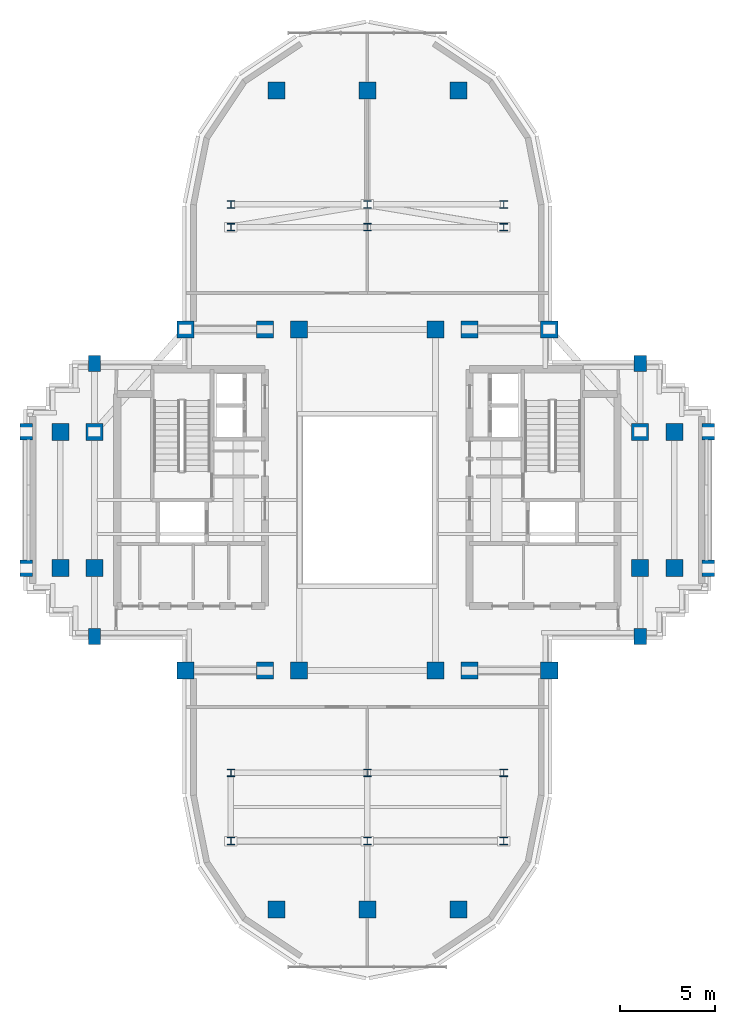
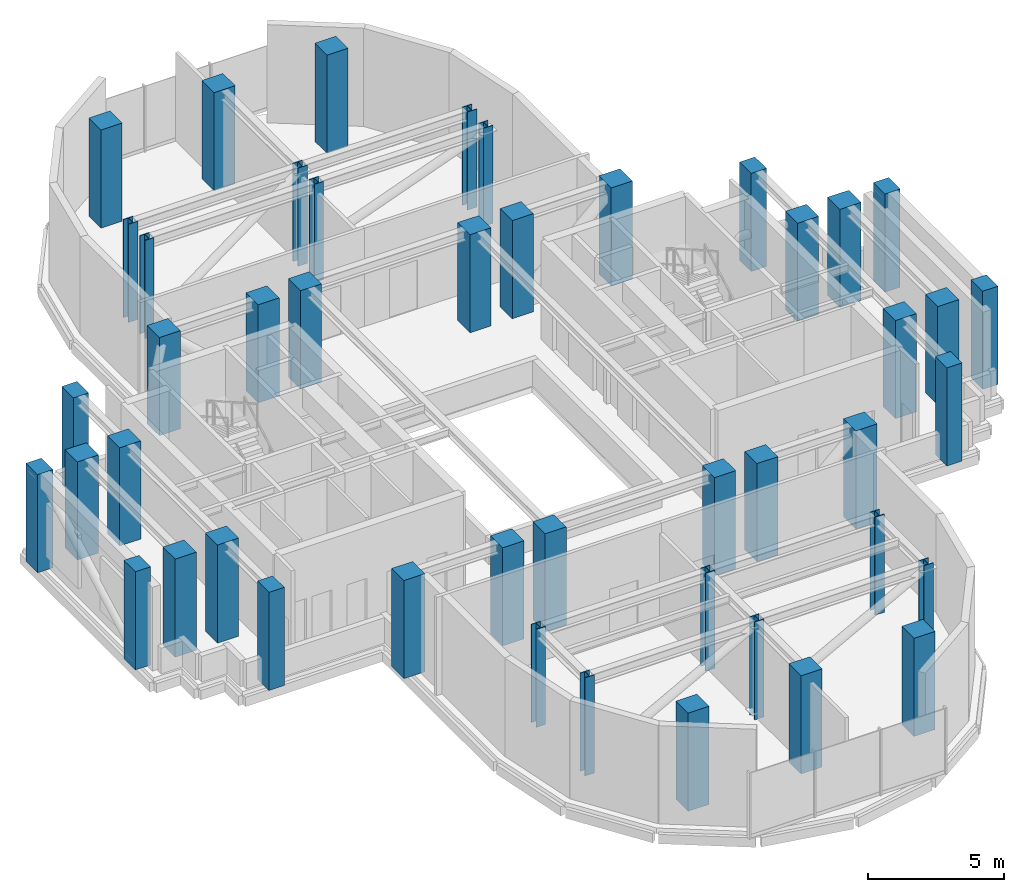
# One storey, part 1 of 11: 46 columns.
"""IFC4 building model written with IfcOpenShell, lengths in metres."""

import ifcopenshell
import ifcopenshell.guid

model = None  # the IFC model being written
_history = None  # IfcOwnerHistory: only IFC2X3 demands one
_inside = {}  # id of a spatial element -> (the spatial element, [elements in it])
_under = {}  # id of a project, library or spatial element -> (it, [spatial elements below it])
_declared = {}  # id of a project -> (the project, [libraries it declares])
_typed = {}  # id of a type object -> (the type object, [elements of that type])
_made_of = {}  # id of a material, layer set ... -> (it, [elements and type objects made of it])


def new_model(schema):
    """Start an empty IFC model of exactly this schema.

    Asked for "IFC4X3", IfcOpenShell would pick the latest addendum, in which some entities
    have other attributes; the version numbers below select the first issue.
    IFC2X3 requires an IfcOwnerHistory on every rooted entity: one is made here for all.
    """
    global model, _history
    if schema == "IFC4X3":
        model = ifcopenshell.file(schema_version=(4, 3, 0, 0))
    else:
        model = ifcopenshell.file(schema=schema)
    _inside.clear()
    _under.clear()
    _declared.clear()
    _typed.clear()
    _made_of.clear()
    _history = None
    if model.schema == "IFC2X3":
        org = make("IfcOrganization", Name="unknown")
        user = make(
            "IfcPersonAndOrganization",
            ThePerson=make("IfcPerson", FamilyName="unknown"),
            TheOrganization=org,
        )
        app = make(
            "IfcApplication",
            ApplicationDeveloper=org,
            Version="unknown",
            ApplicationFullName="unknown",
            ApplicationIdentifier="unknown",
        )
        _history = make(
            "IfcOwnerHistory",
            OwningUser=user,
            OwningApplication=app,
            ChangeAction="ADDED",
            CreationDate=0,
        )
    return model


def make(cls, **values):
    """One entity of the class cls with the attributes given. An attribute that is None is left unset."""
    return model.create_entity(
        cls, **{name: value for name, value in values.items() if value is not None}
    )


def rooted(cls, **values):
    """An entity with a GlobalId (a new one), such as an element, a storey or a relation."""
    return make(cls, GlobalId=ifcopenshell.guid.new(), OwnerHistory=_history, **values)


def si_unit(unit_type, name, prefix=None):
    """IfcSIUnit, for example si_unit("LENGTHUNIT", "METRE", prefix="MILLI")."""
    return make("IfcSIUnit", UnitType=unit_type, Prefix=prefix, Name=name)


def assignment(units):
    """IfcUnitAssignment: the units of a project."""
    return None if units is None else make("IfcUnitAssignment", Units=units)


def point(xyz):
    """IfcCartesianPoint."""
    return None if xyz is None else make("IfcCartesianPoint", Coordinates=xyz)


def direction(xyz):
    """IfcDirection."""
    return None if xyz is None else make("IfcDirection", DirectionRatios=xyz)


def frame(location, z_axis=None, x_axis=None):
    """IfcAxis2Placement3D, a coordinate frame: its origin and axes. An axis left out is left unset."""
    return make(
        "IfcAxis2Placement3D",
        Location=point(location),
        Axis=direction(z_axis),
        RefDirection=direction(x_axis),
    )


def frame_2d(location, x_axis=None):
    """IfcAxis2Placement2D, a coordinate frame in the plane: its origin and x axis."""
    return make(
        "IfcAxis2Placement2D", Location=point(location), RefDirection=direction(x_axis)
    )


def origin():
    """The frame at (0, 0, 0) with its axes left unset."""
    return frame((0.0, 0.0, 0.0))


def origin_2d():
    """The frame at (0, 0) in the plane with its x axis left unset."""
    return frame_2d((0.0, 0.0))


def place(relative_to, where):
    """IfcLocalPlacement: puts the frame where relative to a parent placement (None: the world)."""
    return make(
        "IfcLocalPlacement", PlacementRelTo=relative_to, RelativePlacement=where
    )


def context(
    kind, dimensions, precision=None, world=None, true_north=None, identifier=None
):
    """IfcGeometricRepresentationContext, for example the 3D "Model" context."""
    return make(
        "IfcGeometricRepresentationContext",
        ContextIdentifier=identifier,
        ContextType=kind,
        CoordinateSpaceDimension=dimensions,
        Precision=precision,
        WorldCoordinateSystem=world,
        TrueNorth=true_north,
    )


def subcontext(parent, identifier, kind, view, scale=None):
    """IfcGeometricRepresentationSubContext, for example "Body" below "Model"."""
    return make(
        "IfcGeometricRepresentationSubContext",
        ContextIdentifier=identifier,
        ContextType=kind,
        ParentContext=parent,
        TargetScale=scale,
        TargetView=view,
    )


def project(units=None, contexts=None):
    """IfcProject with its units and contexts."""
    return rooted(
        "IfcProject",
        Name="project",
        RepresentationContexts=contexts,
        UnitsInContext=assignment(units),
    )


def spatial(cls, under=None, at=None, **own):
    """A site, building, storey or space (cls), placed at a placement, below another one or the project."""
    s = rooted(cls, ObjectPlacement=at, **own)
    if under is not None:
        _under.setdefault(under.id(), (under, []))[1].append(s)
    return s


def profile(cls, at=None, kind="AREA", **sizes):
    """A parametric profile (cls). Its sizes go by their IFC names, for example OverallWidth=200.0."""
    return make(cls, ProfileType=kind, Position=at, **sizes)


def rectangle(**sizes):
    """IfcRectangleProfileDef."""
    return profile("IfcRectangleProfileDef", **sizes)


def i_section(**sizes):
    """IfcIShapeProfileDef."""
    return profile("IfcIShapeProfileDef", **sizes)


def extrude(swept, where, along, depth):
    """IfcExtrudedAreaSolid: the profile swept, set in the frame where, extruded along a direction by depth."""
    return make(
        "IfcExtrudedAreaSolid",
        SweptArea=swept,
        Position=where,
        ExtrudedDirection=direction(along),
        Depth=depth,
    )


def shape(context_of_items, identifier, shape_type, items):
    """IfcShapeRepresentation: the items that make up one representation, for example the "Body"."""
    return make(
        "IfcShapeRepresentation",
        ContextOfItems=context_of_items,
        RepresentationIdentifier=identifier,
        RepresentationType=shape_type,
        Items=items,
    )


def source(mapping_origin, context_of_items, identifier, shape_type, items):
    """IfcRepresentationMap: a shape defined once, which mapped items show again and again."""
    return make(
        "IfcRepresentationMap",
        MappingOrigin=mapping_origin,
        MappedRepresentation=shape(context_of_items, identifier, shape_type, items),
    )


def transform(
    local_origin,
    x_axis=None,
    y_axis=None,
    z_axis=None,
    scale=None,
    scale2=None,
    scale3=None,
    uniform=True,
):
    """IfcCartesianTransformationOperator3D, or its non-uniform kind. x_axis, y_axis, z_axis: its Axis1, 2, 3."""
    if uniform:
        return make(
            "IfcCartesianTransformationOperator3D",
            Axis1=direction(x_axis),
            Axis2=direction(y_axis),
            LocalOrigin=point(local_origin),
            Scale=scale,
            Axis3=direction(z_axis),
        )
    return make(
        "IfcCartesianTransformationOperator3DnonUniform",
        Axis1=direction(x_axis),
        Axis2=direction(y_axis),
        LocalOrigin=point(local_origin),
        Scale=scale,
        Axis3=direction(z_axis),
        Scale2=scale2,
        Scale3=scale3,
    )


def mapped(mapping_source, mapping_target):
    """IfcMappedItem: shows the shape of a source again, moved by a transform."""
    return make(
        "IfcMappedItem", MappingSource=mapping_source, MappingTarget=mapping_target
    )


def material(Name=None, Category=None):
    """IfcMaterial."""
    return make("IfcMaterial", Name=Name, Category=Category)


def material_profile(
    of_material, cross_section, Name=None, Category=None, Priority=None
):
    """IfcMaterialProfile: a cross section and its material."""
    return make(
        "IfcMaterialProfile",
        Name=Name,
        Material=of_material,
        Profile=cross_section,
        Priority=Priority,
        Category=Category,
    )


def profile_set(profiles, Name=None, composite=None):
    """IfcMaterialProfileSet."""
    return make(
        "IfcMaterialProfileSet",
        Name=Name,
        MaterialProfiles=profiles,
        CompositeProfile=composite,
    )


def made_of(thing, what):
    """Note that an element or type object is made of a material, layer set ...; save() writes the relation."""
    if what is not None:
        _made_of.setdefault(what.id(), (what, []))[1].append(thing)
    return thing


def type_object(cls, material=None, **own):
    """A type object (cls), such as IfcWallType, which elements share."""
    return made_of(rooted(cls, **own), material)


def element(
    cls,
    number,
    at=None,
    inside=None,
    cuts=None,
    type_object=None,
    material=None,
    context=None,
    identifier="Body",
    shape_type=None,
    held_by="IfcProductDefinitionShape",
    body=None,
    shapes=None,
    **own,
):
    """One element of the class cls, such as IfcWall. Its Tag is "e" and its number.

    at: its placement. inside: the storey or other place that contains it. cuts: it is an
    opening in that element (IfcRelVoidsElement). A single representation is given by context,
    identifier, shape_type and body (its items); several are given by shapes. held_by: the class
    of the entity that holds the representations. save() writes the other relations.
    """
    e = rooted(cls, Tag="e%d" % number, ObjectPlacement=at, **own)
    if body is not None:
        shapes = [shape(context, identifier, shape_type, body)]
    if shapes is not None:
        e.Representation = make(held_by, Representations=shapes)
    if inside is not None:
        _inside.setdefault(inside.id(), (inside, []))[1].append(e)
    if cuts is not None:
        rooted(
            "IfcRelVoidsElement", RelatingBuildingElement=cuts, RelatedOpeningElement=e
        )
    if type_object is not None:
        _typed.setdefault(type_object.id(), (type_object, []))[1].append(e)
    return made_of(e, material)


def aggregate(whole, parts):
    """IfcRelAggregates: a whole, such as a stair, and the parts it consists of."""
    return rooted("IfcRelAggregates", RelatingObject=whole, RelatedObjects=parts)


def save(model, path):
    """Write the relations noted so far, then the file.

    IfcRelAggregates (storeys below a building ...), IfcRelContainedInSpatialStructure (elements
    in a storey), IfcRelDefinesByType, IfcRelAssociatesMaterial and IfcRelDeclares: one each for
    every whole, place, type object, material and project.
    """
    for whole, parts in _under.values():
        aggregate(whole, parts)
    for where, things in _inside.values():
        rooted(
            "IfcRelContainedInSpatialStructure",
            RelatedElements=things,
            RelatingStructure=where,
        )
    for kind, things in _typed.values():
        rooted("IfcRelDefinesByType", RelatedObjects=things, RelatingType=kind)
    for what, things in _made_of.values():
        rooted("IfcRelAssociatesMaterial", RelatedObjects=things, RelatingMaterial=what)
    for by, libraries in _declared.values():
        rooted("IfcRelDeclares", RelatingContext=by, RelatedDefinitions=libraries)
    model.write(path)


model = new_model("IFC4")

# Units and contexts
model_context = context("Model", 3, precision=1e-05, world=origin(), true_north=direction((0.0, 1.0)))
body_context = subcontext(model_context, "Body", "Model", "MODEL_VIEW")
ifc_project = project(units=[si_unit("LENGTHUNIT", "METRE"), si_unit("AREAUNIT", "SQUARE_METRE"), si_unit("VOLUMEUNIT", "CUBIC_METRE"), si_unit("PLANEANGLEUNIT", "RADIAN"), si_unit("MASSUNIT", "GRAM", prefix="KILO")], contexts=[model_context])

# Site, building, storey
site_placement = place(None, origin())
site = spatial("IfcSite", under=ifc_project, at=site_placement, CompositionType="ELEMENT")
building_placement = place(site_placement, origin())
building = spatial("IfcBuilding", under=site, at=building_placement, Name="Keilestroom Media Tower", CompositionType="ELEMENT")
storey_placement = place(building_placement, frame((0.0, 0.0, 214.800048828125)))
storey = spatial("IfcBuildingStorey", under=building, at=storey_placement, Name="L59", CompositionType="ELEMENT", Elevation=214.800048828125)

# Columns
ifc_material_1 = material(Name="Precast concrete C40/50", Category="concrete")
ifc_material_profile_1 = material_profile(ifc_material_1, rectangle(XDim=0.64990234375, YDim=0.85009765625, at=origin_2d()), Name="PC 850x650")
ifc_profile_set_1 = profile_set([ifc_material_profile_1], Name="Precast concrete C40/50")
column_type_1 = type_object("IfcColumnType", Name="Structural-Column-PC-850x650", PredefinedType="COLUMN", material=ifc_profile_set_1)
shared_shape_1 = source(origin(), body_context, "Body", "SweptSolid", [
    extrude(rectangle(XDim=0.64990234375, YDim=0.85009765625, at=origin_2d()), origin(), (0.0, 0.0, 1.0), 4.409912109375),
])
for number, where, z_axis, x_axis, name in (
    (1, (-18.0, -3.60009765625, 0.0), (0.0, 0.0, 1.0), (1.0, 0.0, 0.0), "L59 Column PC-2 (-18.0,-3.6)"),
    (2, (-18.0, 3.60009765625, 0.0), (0.0, 0.0, 1.0), (1.0, 0.0, 0.0), "L59 Column PC-2 (-18.0,+3.6)"),
    (3, (-14.39990234375, -7.199951171875, 0.0), (0.0, 0.0, 1.0), (1.0, 0.0, 0.0), "L59 Column PC-2 (-14.4,-7.2)"),
    (4, (-14.39990234375, 7.199951171875, 0.0), (0.0, 0.0, 1.0), (1.0, 0.0, 0.0), "L59 Column PC-2 (-14.4,+7.2)"),
    (5, (14.39990234375, -7.199951171875, 0.0), (0.0, 0.0, 1.0), (1.0, 0.0, 0.0), "L59 Column PC-2 (+14.4,-7.2)"),
    (6, (14.39990234375, 7.199951171875, 0.0), (0.0, 0.0, 1.0), (1.0, 0.0, 0.0), "L59 Column PC-2 (+14.4,+7.2)"),
    (7, (18.0, -3.60009765625, 0.0), (0.0, 0.0, 1.0), (1.0, 0.0, 0.0), "L59 Column PC-2 (+18.0,-3.6)"),
    (8, (18.0, 3.60009765625, 0.0), (0.0, 0.0, 1.0), (1.0, 0.0, 0.0), "L59 Column PC-2 (+18.0,+3.6)"),
):
    element("IfcColumn", number, at=place(storey_placement, frame(where, z_axis=z_axis, x_axis=x_axis)), inside=storey, type_object=column_type_1, Name=name, PredefinedType="COLUMN", context=body_context, shape_type="MappedRepresentation", body=[
        mapped(shared_shape_1, transform((0.0, 0.0, 0.0), x_axis=(1.0, 0.0, 0.0), y_axis=(0.0, 1.0, 0.0), z_axis=(0.0, 0.0, 1.0), scale=1.0)),
    ])
ifc_material_2 = material(Name="Concrete C55/67", Category="concrete")
ifc_material_profile_2 = material_profile(ifc_material_2, rectangle(XDim=0.89990234375, YDim=0.89990234375, at=origin_2d()), Name="RC 900x900")
ifc_profile_set_2 = profile_set([ifc_material_profile_2], Name="Concrete C55/67")
column_type_2 = type_object("IfcColumnType", Name="Structural-Column-RC-900x900", PredefinedType="COLUMN", material=ifc_profile_set_2)
shared_shape_2 = source(origin(), body_context, "Body", "SweptSolid", [
    extrude(rectangle(XDim=0.89990234375, YDim=0.89990234375, at=origin_2d()), origin(), (0.0, 0.0, 1.0), 4.409912109375),
])
for number, where, z_axis, x_axis, name in (
    (9, (-16.199951171875, -3.60009765625, 0.0), (0.0, 0.0, 1.0), (1.0, 0.0, 0.0), "L59 Column MC-4 (-16.2,-3.6)"),
    (10, (-16.199951171875, 3.60009765625, 0.0), (0.0, 0.0, 1.0), (1.0, 0.0, 0.0), "L59 Column MC-4 (-16.2,+3.6)"),
    (11, (-14.39990234375, -3.60009765625, 0.0), (0.0, 0.0, 1.0), (1.0, 0.0, 0.0), "L59 Column MC-4 (-14.4,-3.6)"),
    (12, (-14.39990234375, 3.60009765625, 0.0), (0.0, 0.0, 1.0), (1.0, 0.0, 0.0), "L59 Column MC-4 (-14.4,+3.6)"),
    (13, (-9.60009765625, -9.0, 0.0), (0.0, 0.0, 1.0), (1.0, 0.0, 0.0), "L59 Column MC-4 (-9.6,-9.0)"),
    (14, (-9.60009765625, 9.0, 0.0), (0.0, 0.0, 1.0), (1.0, 0.0, 0.0), "L59 Column MC-4 (-9.6,+9.0)"),
    (15, (-5.39990234375, -9.0, 0.0), (0.0, 0.0, 1.0), (1.0, 0.0, 0.0), "L59 Column MC-4 (-5.4,-9.0)"),
    (16, (-5.39990234375, 9.0, 0.0), (0.0, 0.0, 1.0), (1.0, 0.0, 0.0), "L59 Column MC-4 (-5.4,+9.0)"),
    (17, (-4.800048828125, -21.60009765625, 0.0), (0.0, 0.0, 1.0), (1.0, 0.0, 0.0), "L59 Column MC-4 (-4.8,-21.6)"),
    (18, (-4.800048828125, 21.60009765625, 0.0), (0.0, 0.0, 1.0), (1.0, 0.0, 0.0), "L59 Column MC-4 (-4.8,+21.6)"),
    (19, (-3.60009765625, -9.0, 0.0), (0.0, 0.0, 1.0), (1.0, 0.0, 0.0), "L59 Column MC-4 (-3.6,-9.0)"),
    (20, (-3.60009765625, 9.0, 0.0), (0.0, 0.0, 1.0), (1.0, 0.0, 0.0), "L59 Column MC-4 (-3.6,+9.0)"),
    (21, (0.0, -21.60009765625, 0.0), (0.0, 0.0, 1.0), (1.0, 0.0, 0.0), "L59 Column MC-4 (+0.0,-21.6)"),
    (22, (0.0, 21.60009765625, 0.0), (0.0, 0.0, 1.0), (1.0, 0.0, 0.0), "L59 Column MC-4 (+0.0,+21.6)"),
    (23, (3.60009765625, -9.0, 0.0), (0.0, 0.0, 1.0), (1.0, 0.0, 0.0), "L59 Column MC-4 (+3.6,-9.0)"),
    (24, (3.60009765625, 9.0, 0.0), (0.0, 0.0, 1.0), (1.0, 0.0, 0.0), "L59 Column MC-4 (+3.6,+9.0)"),
    (25, (4.800048828125, -21.60009765625, 0.0), (0.0, 0.0, 1.0), (1.0, 0.0, 0.0), "L59 Column MC-4 (+4.8,-21.6)"),
    (26, (4.800048828125, 21.60009765625, 0.0), (0.0, 0.0, 1.0), (1.0, 0.0, 0.0), "L59 Column MC-4 (+4.8,+21.6)"),
    (27, (5.39990234375, -9.0, 0.0), (0.0, 0.0, 1.0), (1.0, 0.0, 0.0), "L59 Column MC-4 (+5.4,-9.0)"),
    (28, (5.39990234375, 9.0, 0.0), (0.0, 0.0, 1.0), (1.0, 0.0, 0.0), "L59 Column MC-4 (+5.4,+9.0)"),
    (29, (9.60009765625, -9.0, 0.0), (0.0, 0.0, 1.0), (1.0, 0.0, 0.0), "L59 Column MC-4 (+9.6,-9.0)"),
    (30, (9.60009765625, 9.0, 0.0), (0.0, 0.0, 1.0), (1.0, 0.0, 0.0), "L59 Column MC-4 (+9.6,+9.0)"),
    (31, (14.39990234375, -3.60009765625, 0.0), (0.0, 0.0, 1.0), (1.0, 0.0, 0.0), "L59 Column MC-4 (+14.4,-3.6)"),
    (32, (14.39990234375, 3.60009765625, 0.0), (0.0, 0.0, 1.0), (1.0, 0.0, 0.0), "L59 Column MC-4 (+14.4,+3.6)"),
    (33, (16.199951171875, -3.60009765625, 0.0), (0.0, 0.0, 1.0), (1.0, 0.0, 0.0), "L59 Column MC-4 (+16.2,-3.6)"),
    (34, (16.199951171875, 3.60009765625, 0.0), (0.0, 0.0, 1.0), (1.0, 0.0, 0.0), "L59 Column MC-4 (+16.2,+3.6)"),
):
    element("IfcColumn", number, at=place(storey_placement, frame(where, z_axis=z_axis, x_axis=x_axis)), inside=storey, type_object=column_type_2, Name=name, PredefinedType="COLUMN", context=body_context, shape_type="MappedRepresentation", body=[
        mapped(shared_shape_2, transform((0.0, 0.0, 0.0), x_axis=(1.0, 0.0, 0.0), y_axis=(0.0, 1.0, 0.0), z_axis=(0.0, 0.0, 1.0), scale=1.0)),
    ])
ifc_material_3 = material(Name="Steel S355", Category="steel")
ifc_material_profile_3 = material_profile(ifc_material_3, i_section(OverallWidth=0.39794921875, OverallDepth=0.386962890625, WebThickness=0.017578125, FlangeThickness=0.028076171875, at=origin_2d()), Name="HD 400x262")
ifc_profile_set_3 = profile_set([ifc_material_profile_3], Name="Steel S355")
column_type_3 = type_object("IfcColumnType", Name="Structural-Column-HD-400x262", PredefinedType="COLUMN", material=ifc_profile_set_3)
shared_shape_3 = source(origin(), body_context, "Body", "SweptSolid", [
    extrude(i_section(OverallWidth=0.39794921875, OverallDepth=0.386962890625, WebThickness=0.017578125, FlangeThickness=0.028076171875, at=origin_2d()), origin(), (0.0, 0.0, 1.0), 4.409912109375),
])
for number, where, z_axis, x_axis, name in (
    (35, (-7.199951171875, -18.0, 0.0), (0.0, 0.0, 1.0), (1.0, 0.0, 0.0), "L59 Column SC-4 (-7.2,-18.0)"),
    (36, (-7.199951171875, -14.39990234375, 0.0), (0.0, 0.0, 1.0), (1.0, 0.0, 0.0), "L59 Column SC-4 (-7.2,-14.4)"),
    (37, (-7.199951171875, 14.39990234375, 0.0), (0.0, 0.0, 1.0), (1.0, 0.0, 0.0), "L59 Column SC-4 (-7.2,+14.4)"),
    (38, (-7.199951171875, 15.60009765625, 0.0), (0.0, 0.0, 1.0), (1.0, 0.0, 0.0), "L59 Column SC-4 (-7.2,+15.6)"),
    (39, (0.0, -18.0, 0.0), (0.0, 0.0, 1.0), (1.0, 0.0, 0.0), "L59 Column SC-4 (+0.0,-18.0)"),
    (40, (0.0, -14.39990234375, 0.0), (0.0, 0.0, 1.0), (1.0, 0.0, 0.0), "L59 Column SC-4 (+0.0,-14.4)"),
    (41, (0.0, 14.39990234375, 0.0), (0.0, 0.0, 1.0), (1.0, 0.0, 0.0), "L59 Column SC-4 (+0.0,+14.4)"),
    (42, (0.0, 15.60009765625, 0.0), (0.0, 0.0, 1.0), (1.0, 0.0, 0.0), "L59 Column SC-4 (+0.0,+15.6)"),
    (43, (7.199951171875, -18.0, 0.0), (0.0, 0.0, 1.0), (1.0, 0.0, 0.0), "L59 Column SC-4 (+7.2,-18.0)"),
    (44, (7.199951171875, -14.39990234375, 0.0), (0.0, 0.0, 1.0), (1.0, 0.0, 0.0), "L59 Column SC-4 (+7.2,-14.4)"),
    (45, (7.199951171875, 14.39990234375, 0.0), (0.0, 0.0, 1.0), (1.0, 0.0, 0.0), "L59 Column SC-4 (+7.2,+14.4)"),
    (46, (7.199951171875, 15.60009765625, 0.0), (0.0, 0.0, 1.0), (1.0, 0.0, 0.0), "L59 Column SC-4 (+7.2,+15.6)"),
):
    element("IfcColumn", number, at=place(storey_placement, frame(where, z_axis=z_axis, x_axis=x_axis)), inside=storey, type_object=column_type_3, Name=name, PredefinedType="COLUMN", context=body_context, shape_type="MappedRepresentation", body=[
        mapped(shared_shape_3, transform((0.0, 0.0, 0.0), x_axis=(1.0, 0.0, 0.0), y_axis=(0.0, 1.0, 0.0), z_axis=(0.0, 0.0, 1.0), scale=1.0)),
    ])

save(model, "model.ifc")
